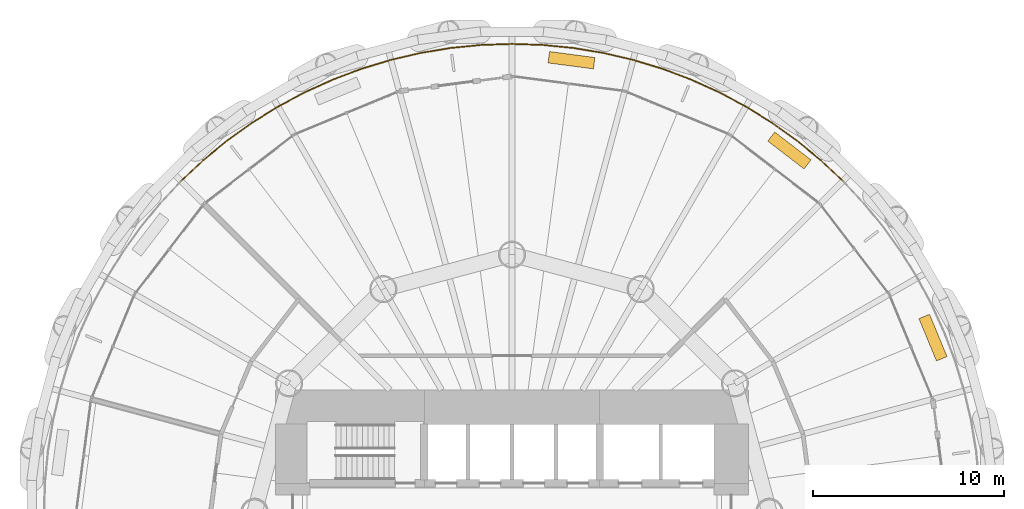
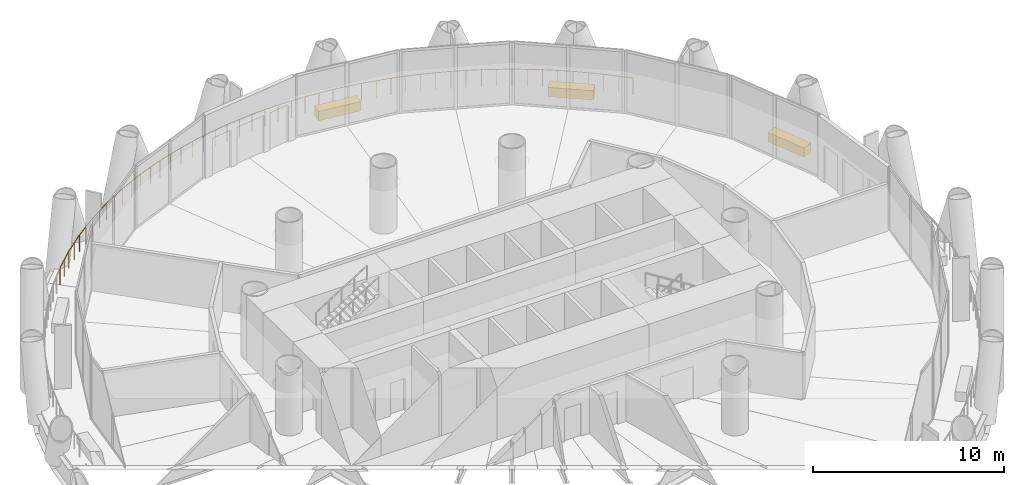
# One storey, part 16 of 16: 3 coverings, 1 railing.
"""IFC4 building model written with IfcOpenShell, lengths in metres."""

from ifc_helpers import new_model, si_unit, direction, frame, origin, origin_2d, place, context, subcontext, project, spatial, rectangle, circle, extrude, material, layer, layer_set, type_object, element, save


model = new_model("IFC4")

# Units and contexts
model_context = context("Model", 3, precision=1e-05, world=origin(), true_north=direction((0.0, 1.0)))
body_context = subcontext(model_context, "Body", "Model", "MODEL_VIEW")
ifc_project = project(units=[si_unit("LENGTHUNIT", "METRE"), si_unit("AREAUNIT", "SQUARE_METRE"), si_unit("VOLUMEUNIT", "CUBIC_METRE"), si_unit("PLANEANGLEUNIT", "RADIAN"), si_unit("MASSUNIT", "GRAM", prefix="KILO")], contexts=[model_context])

# Site, building, storey
site_placement = place(None, origin())
site = spatial("IfcSite", under=ifc_project, at=site_placement, CompositionType="ELEMENT")
building_placement = place(site_placement, origin())
building = spatial("IfcBuilding", under=site, at=building_placement, Name="Qaws Media Tower", CompositionType="ELEMENT")
storey_placement = place(building_placement, frame((0.0, 0.0, 63.800048828125)))
storey = spatial("IfcBuildingStorey", under=building, at=storey_placement, Name="L13", CompositionType="ELEMENT", Elevation=63.800048828125)

# Railing
ifc_material_1 = material(Name="Stainless steel and glass guard", Category="steel")
railing_type = type_object("IfcRailingType", Name="Balcony guard 1100", PredefinedType="GUARDRAIL", material=ifc_material_1)
railing_placement = place(storey_placement, frame((77.359375, 67.359375, 0.0)))
element("IfcRailing", 1, at=railing_placement, inside=storey, type_object=railing_type, Name="GR1 balcony guard L13-1", PredefinedType="GUARDRAIL", context=body_context, shape_type="SweptSolid", body=[
    extrude(circle(Radius=0.02392578125, at=origin_2d()), frame((0.0, 0.0, 1.076171875), z_axis=(-0.729755168358, 0.683708559442, 0.0), x_axis=(-0.683708559442, -0.729755168358, 0.0)), (0.0, 0.0, 1.0), 1.6064453125),
    extrude(circle(Radius=0.02392578125, at=origin_2d()), frame((-1.17236328125, 1.098388671875, 1.076171875), z_axis=(-0.773069548835, 0.634321269282, 0.0), x_axis=(-0.634321269282, -0.773069548835, 0.0)), (0.0, 0.0, 1.0), 1.6064453125),
    extrude(circle(Radius=0.02392578125, at=origin_2d()), frame((-2.414306640625, 2.117431640625, 1.076171875), z_axis=(-0.812849504538, 0.582473761618, 0.0), x_axis=(-0.582473761618, -0.812849504538, 0.0)), (0.0, 0.0, 1.0), 1.606689453125),
    extrude(circle(Radius=0.02392578125, at=origin_2d()), frame((-3.72021484375, 3.05322265625, 1.076171875), z_axis=(-0.849191393384, 0.528085199, 0.0), x_axis=(-0.528085199, -0.849191393384, 0.0)), (0.0, 0.0, 1.0), 1.6064453125),
    extrude(circle(Radius=0.02392578125, at=origin_2d()), frame((-5.08447265625, 3.901611328125, 1.076171875), z_axis=(-0.881906613636, 0.471424145356, 0.0), x_axis=(-0.471424145356, -0.881906613636, 0.0)), (0.0, 0.0, 1.0), 1.6064453125),
    extrude(circle(Radius=0.02392578125, at=origin_2d()), frame((-6.501220703125, 4.658935546875, 1.076171875), z_axis=(-0.910912153474, 0.412600349797, 0.0), x_axis=(-0.412600349797, -0.910912153474, 0.0)), (0.0, 0.0, 1.0), 1.6064453125),
    extrude(circle(Radius=0.02392578125, at=origin_2d()), frame((-7.964599609375, 5.32177734375, 1.076171875), z_axis=(-0.935891249728, 0.352289041388, 0.0), x_axis=(-0.352289041388, -0.935891249728, 0.0)), (0.0, 0.0, 1.0), 1.6064453125),
    extrude(circle(Radius=0.02392578125, at=origin_2d()), frame((-9.468017578125, 5.8876953125, 1.076171875), z_axis=(-0.956947683594, 0.290260453496, 0.0), x_axis=(-0.290260453496, -0.956947683594, 0.0)), (0.0, 0.0, 1.0), 1.6064453125),
    extrude(circle(Radius=0.02392578125, at=origin_2d()), frame((-11.00537109375, 6.35400390625, 1.076171875), z_axis=(-0.973847935236, 0.227200790134, 0.0), x_axis=(-0.227200790134, -0.973847935236, 0.0)), (0.0, 0.0, 1.0), 1.6064453125),
    extrude(circle(Radius=0.02392578125, at=origin_2d()), frame((-12.56982421875, 6.718994140625, 1.076171875), z_axis=(-0.986643298836, 0.162895674781, 0.0), x_axis=(-0.162895674781, -0.986643298836, 0.0)), (0.0, 0.0, 1.0), 1.606689453125),
    extrude(circle(Radius=0.02392578125, at=origin_2d()), frame((-14.155029296875, 6.980712890625, 1.076171875), z_axis=(-0.995183565926, 0.098028924866, 0.0), x_axis=(-0.098028924866, -0.995183565926, 0.0)), (0.0, 0.0, 1.0), 1.6064453125),
    extrude(circle(Radius=0.02392578125, at=origin_2d()), frame((-15.753662109375, 7.13818359375, 1.076171875), z_axis=(-0.999466120383, 0.032672223792, 0.0), x_axis=(-0.032672223792, -0.999466120383, 0.0)), (0.0, 0.0, 1.0), 1.606689453125),
    extrude(circle(Radius=0.02392578125, at=origin_2d()), frame((-17.359375, 7.190673828125, 1.076171875), z_axis=(-0.999466120383, -0.032672223792, 0.0), x_axis=(0.032672223792, -0.999466120383, 0.0)), (0.0, 0.0, 1.0), 1.606689453125),
    extrude(circle(Radius=0.02392578125, at=origin_2d()), frame((-18.965087890625, 7.13818359375, 1.076171875), z_axis=(-0.995183565926, -0.098028924866, 0.0), x_axis=(0.098028924866, -0.995183565926, 0.0)), (0.0, 0.0, 1.0), 1.6064453125),
    extrude(circle(Radius=0.02392578125, at=origin_2d()), frame((-20.563720703125, 6.980712890625, 1.076171875), z_axis=(-0.986643298836, -0.162895674781, 0.0), x_axis=(0.162895674781, -0.986643298836, 0.0)), (0.0, 0.0, 1.0), 1.606689453125),
    extrude(circle(Radius=0.02392578125, at=origin_2d()), frame((-22.14892578125, 6.718994140625, 1.076171875), z_axis=(-0.973847935236, -0.227200790134, 0.0), x_axis=(0.227200790134, -0.973847935236, 0.0)), (0.0, 0.0, 1.0), 1.6064453125),
    extrude(circle(Radius=0.02392578125, at=origin_2d()), frame((-23.71337890625, 6.35400390625, 1.076171875), z_axis=(-0.956947683594, -0.290260453496, 0.0), x_axis=(0.290260453496, -0.956947683594, 0.0)), (0.0, 0.0, 1.0), 1.6064453125),
    extrude(circle(Radius=0.02392578125, at=origin_2d()), frame((-25.250732421875, 5.8876953125, 1.076171875), z_axis=(-0.935891249728, -0.352289041388, 0.0), x_axis=(0.352289041388, -0.935891249728, 0.0)), (0.0, 0.0, 1.0), 1.6064453125),
    extrude(circle(Radius=0.02392578125, at=origin_2d()), frame((-26.754150390625, 5.32177734375, 1.076171875), z_axis=(-0.910912153474, -0.412600349797, 0.0), x_axis=(0.412600349797, -0.910912153474, 0.0)), (0.0, 0.0, 1.0), 1.6064453125),
    extrude(circle(Radius=0.02392578125, at=origin_2d()), frame((-28.217529296875, 4.658935546875, 1.076171875), z_axis=(-0.881906613636, -0.471424145356, 0.0), x_axis=(0.471424145356, -0.881906613636, 0.0)), (0.0, 0.0, 1.0), 1.6064453125),
    extrude(circle(Radius=0.02392578125, at=origin_2d()), frame((-29.63427734375, 3.901611328125, 1.076171875), z_axis=(-0.849191393384, -0.528085199, 0.0), x_axis=(0.528085199, -0.849191393384, 0.0)), (0.0, 0.0, 1.0), 1.6064453125),
    extrude(circle(Radius=0.02392578125, at=origin_2d()), frame((-30.99853515625, 3.05322265625, 1.076171875), z_axis=(-0.812849504538, -0.582473761618, 0.0), x_axis=(0.582473761618, -0.812849504538, 0.0)), (0.0, 0.0, 1.0), 1.606689453125),
    extrude(circle(Radius=0.02392578125, at=origin_2d()), frame((-32.304443359375, 2.117431640625, 1.076171875), z_axis=(-0.773069548835, -0.634321269282, 0.0), x_axis=(0.634321269282, -0.773069548835, 0.0)), (0.0, 0.0, 1.0), 1.6064453125),
    extrude(circle(Radius=0.02392578125, at=origin_2d()), frame((-33.54638671875, 1.098388671875, 1.076171875), z_axis=(-0.729755168358, -0.683708559442, 0.0), x_axis=(0.683708559442, -0.729755168358, 0.0)), (0.0, 0.0, 1.0), 1.6064453125),
    extrude(circle(Radius=0.02099609375, at=origin_2d()), origin(), (0.0, 0.0, 1.0), 1.052001953125),
    extrude(circle(Radius=0.02099609375, at=origin_2d()), frame((-0.586181640625, 0.54931640625, 0.0)), (0.0, 0.0, 1.0), 1.052001953125),
    extrude(circle(Radius=0.02099609375, at=origin_2d()), frame((-1.17236328125, 1.098388671875, 0.0)), (0.0, 0.0, 1.0), 1.052001953125),
    extrude(circle(Radius=0.02099609375, at=origin_2d()), frame((-1.79345703125, 1.60791015625, 0.0)), (0.0, 0.0, 1.0), 1.052001953125),
    extrude(circle(Radius=0.02099609375, at=origin_2d()), frame((-2.414306640625, 2.117431640625, 0.0)), (0.0, 0.0, 1.0), 1.052001953125),
    extrude(circle(Radius=0.02099609375, at=origin_2d()), frame((-3.0673828125, 2.58544921875, 0.0)), (0.0, 0.0, 1.0), 1.052001953125),
    extrude(circle(Radius=0.02099609375, at=origin_2d()), frame((-3.72021484375, 3.05322265625, 0.0)), (0.0, 0.0, 1.0), 1.052001953125),
    extrude(circle(Radius=0.02099609375, at=origin_2d()), frame((-4.40234375, 3.4775390625, 0.0)), (0.0, 0.0, 1.0), 1.052001953125),
    extrude(circle(Radius=0.02099609375, at=origin_2d()), frame((-5.08447265625, 3.901611328125, 0.0)), (0.0, 0.0, 1.0), 1.052001953125),
    extrude(circle(Radius=0.02099609375, at=origin_2d()), frame((-5.79296875, 4.2802734375, 0.0)), (0.0, 0.0, 1.0), 1.052001953125),
    extrude(circle(Radius=0.02099609375, at=origin_2d()), frame((-6.501220703125, 4.658935546875, 0.0)), (0.0, 0.0, 1.0), 1.052001953125),
    extrude(circle(Radius=0.02099609375, at=origin_2d()), frame((-7.23291015625, 4.990234375, 0.0)), (0.0, 0.0, 1.0), 1.052001953125),
    extrude(circle(Radius=0.02099609375, at=origin_2d()), frame((-7.964599609375, 5.32177734375, 0.0)), (0.0, 0.0, 1.0), 1.052001953125),
    extrude(circle(Radius=0.02099609375, at=origin_2d()), frame((-8.71630859375, 5.604736328125, 0.0)), (0.0, 0.0, 1.0), 1.052001953125),
    extrude(circle(Radius=0.02099609375, at=origin_2d()), frame((-9.468017578125, 5.8876953125, 0.0)), (0.0, 0.0, 1.0), 1.052001953125),
    extrude(circle(Radius=0.02099609375, at=origin_2d()), frame((-10.23681640625, 6.120849609375, 0.0)), (0.0, 0.0, 1.0), 1.052001953125),
    extrude(circle(Radius=0.02099609375, at=origin_2d()), frame((-11.00537109375, 6.35400390625, 0.0)), (0.0, 0.0, 1.0), 1.052001953125),
    extrude(circle(Radius=0.02099609375, at=origin_2d()), frame((-11.78759765625, 6.53662109375, 0.0)), (0.0, 0.0, 1.0), 1.052001953125),
    extrude(circle(Radius=0.02099609375, at=origin_2d()), frame((-12.56982421875, 6.718994140625, 0.0)), (0.0, 0.0, 1.0), 1.052001953125),
    extrude(circle(Radius=0.02099609375, at=origin_2d()), frame((-13.3623046875, 6.849853515625, 0.0)), (0.0, 0.0, 1.0), 1.052001953125),
    extrude(circle(Radius=0.02099609375, at=origin_2d()), frame((-14.155029296875, 6.980712890625, 0.0)), (0.0, 0.0, 1.0), 1.052001953125),
    extrude(circle(Radius=0.02099609375, at=origin_2d()), frame((-14.954345703125, 7.0595703125, 0.0)), (0.0, 0.0, 1.0), 1.052001953125),
    extrude(circle(Radius=0.02099609375, at=origin_2d()), frame((-15.753662109375, 7.13818359375, 0.0)), (0.0, 0.0, 1.0), 1.052001953125),
    extrude(circle(Radius=0.02099609375, at=origin_2d()), frame((-16.556640625, 7.16455078125, 0.0)), (0.0, 0.0, 1.0), 1.052001953125),
    extrude(circle(Radius=0.02099609375, at=origin_2d()), frame((-17.359375, 7.190673828125, 0.0)), (0.0, 0.0, 1.0), 1.052001953125),
    extrude(circle(Radius=0.02099609375, at=origin_2d()), frame((-18.162109375, 7.16455078125, 0.0)), (0.0, 0.0, 1.0), 1.052001953125),
    extrude(circle(Radius=0.02099609375, at=origin_2d()), frame((-18.965087890625, 7.13818359375, 0.0)), (0.0, 0.0, 1.0), 1.052001953125),
    extrude(circle(Radius=0.02099609375, at=origin_2d()), frame((-19.764404296875, 7.0595703125, 0.0)), (0.0, 0.0, 1.0), 1.052001953125),
    extrude(circle(Radius=0.02099609375, at=origin_2d()), frame((-20.563720703125, 6.980712890625, 0.0)), (0.0, 0.0, 1.0), 1.052001953125),
    extrude(circle(Radius=0.02099609375, at=origin_2d()), frame((-21.3564453125, 6.849853515625, 0.0)), (0.0, 0.0, 1.0), 1.052001953125),
    extrude(circle(Radius=0.02099609375, at=origin_2d()), frame((-22.14892578125, 6.718994140625, 0.0)), (0.0, 0.0, 1.0), 1.052001953125),
    extrude(circle(Radius=0.02099609375, at=origin_2d()), frame((-22.93115234375, 6.53662109375, 0.0)), (0.0, 0.0, 1.0), 1.052001953125),
    extrude(circle(Radius=0.02099609375, at=origin_2d()), frame((-23.71337890625, 6.35400390625, 0.0)), (0.0, 0.0, 1.0), 1.052001953125),
    extrude(circle(Radius=0.02099609375, at=origin_2d()), frame((-24.48193359375, 6.120849609375, 0.0)), (0.0, 0.0, 1.0), 1.052001953125),
    extrude(circle(Radius=0.02099609375, at=origin_2d()), frame((-25.250732421875, 5.8876953125, 0.0)), (0.0, 0.0, 1.0), 1.052001953125),
    extrude(circle(Radius=0.02099609375, at=origin_2d()), frame((-26.00244140625, 5.604736328125, 0.0)), (0.0, 0.0, 1.0), 1.052001953125),
    extrude(circle(Radius=0.02099609375, at=origin_2d()), frame((-26.754150390625, 5.32177734375, 0.0)), (0.0, 0.0, 1.0), 1.052001953125),
    extrude(circle(Radius=0.02099609375, at=origin_2d()), frame((-27.48583984375, 4.990234375, 0.0)), (0.0, 0.0, 1.0), 1.052001953125),
    extrude(circle(Radius=0.02099609375, at=origin_2d()), frame((-28.217529296875, 4.658935546875, 0.0)), (0.0, 0.0, 1.0), 1.052001953125),
    extrude(circle(Radius=0.02099609375, at=origin_2d()), frame((-28.92578125, 4.2802734375, 0.0)), (0.0, 0.0, 1.0), 1.052001953125),
    extrude(circle(Radius=0.02099609375, at=origin_2d()), frame((-29.63427734375, 3.901611328125, 0.0)), (0.0, 0.0, 1.0), 1.052001953125),
    extrude(circle(Radius=0.02099609375, at=origin_2d()), frame((-30.31640625, 3.4775390625, 0.0)), (0.0, 0.0, 1.0), 1.052001953125),
    extrude(circle(Radius=0.02099609375, at=origin_2d()), frame((-30.99853515625, 3.05322265625, 0.0)), (0.0, 0.0, 1.0), 1.052001953125),
    extrude(circle(Radius=0.02099609375, at=origin_2d()), frame((-31.6513671875, 2.58544921875, 0.0)), (0.0, 0.0, 1.0), 1.052001953125),
    extrude(circle(Radius=0.02099609375, at=origin_2d()), frame((-32.304443359375, 2.117431640625, 0.0)), (0.0, 0.0, 1.0), 1.052001953125),
    extrude(circle(Radius=0.02099609375, at=origin_2d()), frame((-32.92529296875, 1.60791015625, 0.0)), (0.0, 0.0, 1.0), 1.052001953125),
    extrude(circle(Radius=0.02099609375, at=origin_2d()), frame((-33.54638671875, 1.098388671875, 0.0)), (0.0, 0.0, 1.0), 1.052001953125),
    extrude(circle(Radius=0.02099609375, at=origin_2d()), frame((-34.132568359375, 0.54931640625, 0.0)), (0.0, 0.0, 1.0), 1.052001953125),
    extrude(circle(Radius=0.02099609375, at=origin_2d()), frame((-34.71875, 0.0, 0.0)), (0.0, 0.0, 1.0), 1.052001953125),
])

# Coverings
ifc_material_2 = material(Name="Precast concrete planter with trailing planting", Category="concrete")
ifc_layer = layer(ifc_material_2, 0.60009765625)
ifc_layer_set = layer_set([ifc_layer], Name="Planter 2400x600")
covering_type = type_object("IfcCoveringType", Name="Planter 2400x600", PredefinedType="USERDEFINED", material=ifc_layer_set)
for number, where, z_axis, x_axis, name in (
    (2, (82.080810546875, 59.146240234375, 0.0), (0.0, 0.0, 1.0), (-0.382683432365, 0.923879532511, 0.0), "PL1 balcony planter L13-01"),
    (3, (74.54931640625, 68.961181640625, 0.0), (0.0, 0.0, 1.0), (-0.793353340291, 0.608761429009, 0.0), "PL1 balcony planter L13-02"),
    (4, (63.11962890625, 73.695556640625, 0.0), (0.0, 0.0, 1.0), (-0.991444861374, 0.13052619222, 0.0), "PL1 balcony planter L13-03"),
):
    element("IfcCovering", number, at=place(storey_placement, frame(where, z_axis=z_axis, x_axis=x_axis)), inside=storey, type_object=covering_type, Name=name, ObjectType="PLANTER", PredefinedType="USERDEFINED", context=body_context, shape_type="SweptSolid", body=[
        extrude(rectangle(XDim=2.39990234375, YDim=0.60009765625, at=origin_2d()), origin(), (0.0, 0.0, 1.0), 0.60009765625),
    ])

save(model, "model.ifc")
